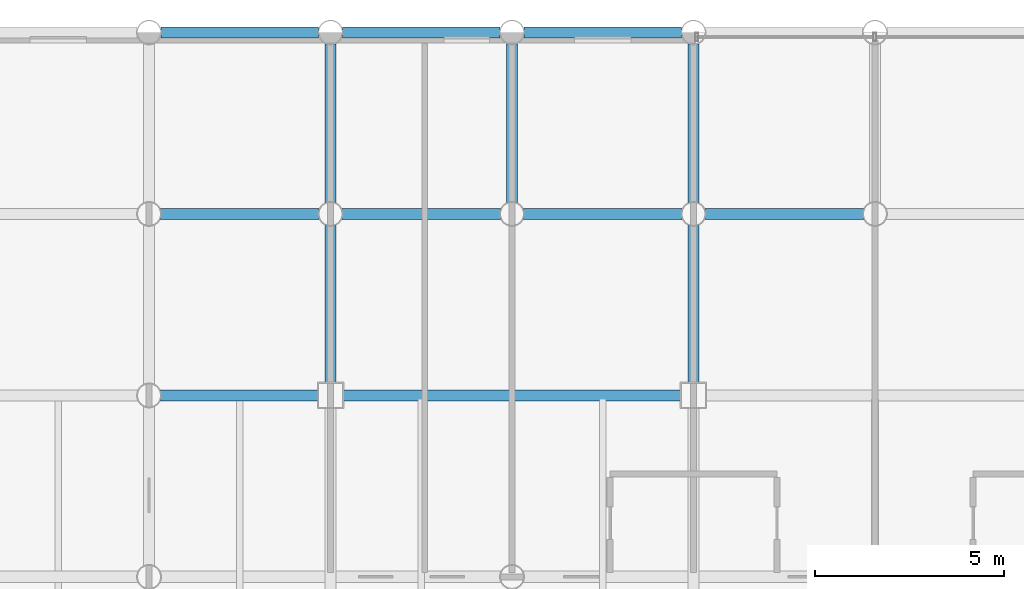
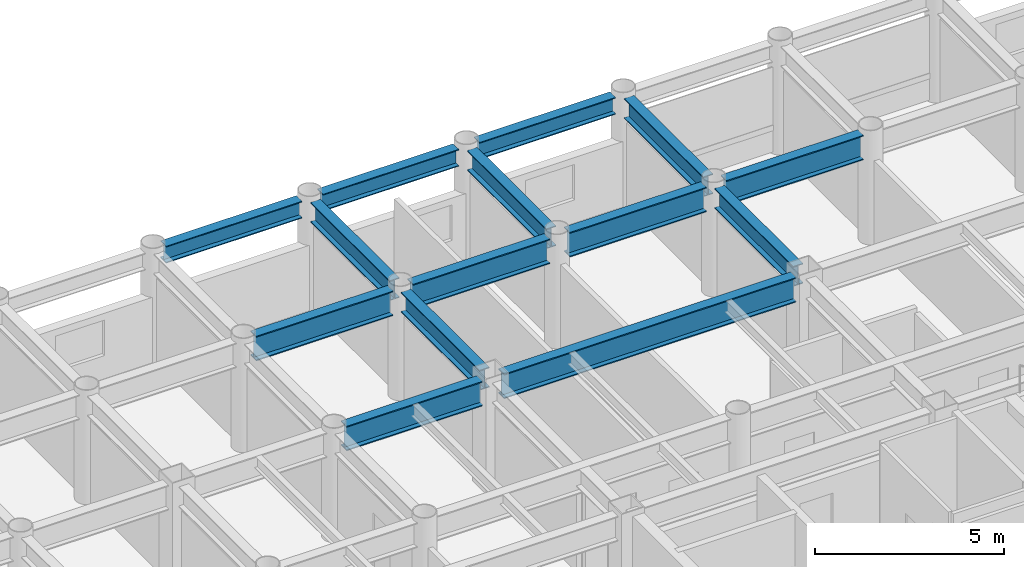
# One storey, part 11 of 20: 14 beams.
"""IFC4 building model written with IfcOpenShell, lengths in metres."""

from ifc_helpers import new_model, si_unit, direction, frame, origin, origin_2d, place, context, subcontext, project, spatial, i_section, extrude, material, material_profile, profile_set, type_object, element, save


model = new_model("IFC4")

# Units and contexts
model_context = context("Model", 3, precision=1e-05, world=origin(), true_north=direction((0.0, 1.0)))
body_context = subcontext(model_context, "Body", "Model", "MODEL_VIEW")
ifc_project = project(units=[si_unit("LENGTHUNIT", "METRE"), si_unit("AREAUNIT", "SQUARE_METRE"), si_unit("VOLUMEUNIT", "CUBIC_METRE"), si_unit("PLANEANGLEUNIT", "RADIAN"), si_unit("MASSUNIT", "GRAM", prefix="KILO")], contexts=[model_context])

# Site, building, storey
site_placement = place(None, origin())
site = spatial("IfcSite", under=ifc_project, at=site_placement, CompositionType="ELEMENT")
building_placement = place(site_placement, origin())
building = spatial("IfcBuilding", under=site, at=building_placement, Name="Kallvorn Hotel Tower", CompositionType="ELEMENT")
storey_placement = place(building_placement, frame((0.0, 0.0, 132.199951171875)))
storey = spatial("IfcBuildingStorey", under=building, at=storey_placement, Name="L32", CompositionType="ELEMENT", Elevation=132.199951171875)

# Beams
ifc_material_1 = material(Name="Structural steel S355JR", Category="steel")
ifc_material_profile_1 = material_profile(ifc_material_1, i_section(OverallWidth=0.300048828125, OverallDepth=0.550048828125, WebThickness=0.014892578125, FlangeThickness=0.029052734375, at=origin_2d()), Name="HE 550 B")
ifc_profile_set_1 = profile_set([ifc_material_profile_1], Name="Structural steel S355JR")
beam_type_1 = type_object("IfcBeamType", Name="BM_HE550B", PredefinedType="SPANDREL", material=ifc_profile_set_1)
beam_1_placement = place(storey_placement, frame((-18.8798828125, 24.0, 3.2451171875), z_axis=(1.0, 0.0, 0.0), x_axis=(0.0, 1.0, 0.0)))
element("IfcBeam", 1, at=beam_1_placement, inside=storey, type_object=beam_type_1, Name="L33 Perimeter Spandrel 165", PredefinedType="SPANDREL", context=body_context, shape_type="SweptSolid", body=[
    extrude(i_section(OverallWidth=0.300048828125, OverallDepth=0.550048828125, WebThickness=0.014892578125, FlangeThickness=0.029052734375, at=origin_2d()), origin(), (0.0, 0.0, 1.0), 4.159912109375),
])
beam_2_placement = place(storey_placement, frame((-14.080078125, 24.0, 3.2451171875), z_axis=(1.0, 0.0, 0.0), x_axis=(0.0, 1.0, 0.0)))
element("IfcBeam", 2, at=beam_2_placement, inside=storey, type_object=beam_type_1, Name="L33 Perimeter Spandrel 166", PredefinedType="SPANDREL", context=body_context, shape_type="SweptSolid", body=[
    extrude(i_section(OverallWidth=0.300048828125, OverallDepth=0.550048828125, WebThickness=0.014892578125, FlangeThickness=0.029052734375, at=origin_2d()), origin(), (0.0, 0.0, 1.0), 4.16015625),
])
beam_3_placement = place(storey_placement, frame((-9.280029296875, 24.0, 3.2451171875), z_axis=(1.0, 0.0, 0.0), x_axis=(0.0, 1.0, 0.0)))
element("IfcBeam", 3, at=beam_3_placement, inside=storey, type_object=beam_type_1, Name="L33 Perimeter Spandrel 167", PredefinedType="SPANDREL", context=body_context, shape_type="SweptSolid", body=[
    extrude(i_section(OverallWidth=0.300048828125, OverallDepth=0.550048828125, WebThickness=0.014892578125, FlangeThickness=0.029052734375, at=origin_2d()), origin(), (0.0, 0.0, 1.0), 4.159912109375),
])
ifc_material_2 = material(Name="Structural steel S355JR", Category="steel")
ifc_material_profile_2 = material_profile(ifc_material_2, i_section(OverallWidth=0.300048828125, OverallDepth=0.64990234375, WebThickness=0.01611328125, FlangeThickness=0.031005859375, at=origin_2d()), Name="HE 650 B")
ifc_profile_set_2 = profile_set([ifc_material_profile_2], Name="Structural steel S355JR")
beam_type_2 = type_object("IfcBeamType", Name="BM_HE650B", PredefinedType="BEAM", material=ifc_profile_set_2)
beam_4_placement = place(storey_placement, frame((-14.39990234375, 14.72509765625, 3.195068359375), z_axis=(0.0, 1.0, 0.0), x_axis=(-1.0, 0.0, 0.0)))
element("IfcBeam", 4, at=beam_4_placement, inside=storey, type_object=beam_type_2, Name="L33 Primary Y-Girder 101", PredefinedType="BEAM", context=body_context, shape_type="SweptSolid", body=[
    extrude(i_section(OverallWidth=0.300048828125, OverallDepth=0.64990234375, WebThickness=0.01611328125, FlangeThickness=0.031005859375, at=origin_2d()), origin(), (0.0, 0.0, 1.0), 4.169921875),
])
for number, where, z_axis, x_axis, name in (
    (5, (-14.39990234375, 19.5048828125, 3.195068359375), (0.0, 1.0, 0.0), (-1.0, 0.0, 0.0), "L33 Primary Y-Girder 102"),
    (6, (-9.60009765625, 19.5048828125, 3.195068359375), (0.0, 1.0, 0.0), (-1.0, 0.0, 0.0), "L33 Primary Y-Girder 105"),
):
    element("IfcBeam", number, at=place(storey_placement, frame(where, z_axis=z_axis, x_axis=x_axis)), inside=storey, type_object=beam_type_2, Name=name, PredefinedType="BEAM", context=body_context, shape_type="SweptSolid", body=[
        extrude(i_section(OverallWidth=0.300048828125, OverallDepth=0.64990234375, WebThickness=0.01611328125, FlangeThickness=0.031005859375, at=origin_2d()), origin(), (0.0, 0.0, 1.0), 4.190185546875),
    ])
beam_5_placement = place(storey_placement, frame((-4.800048828125, 14.72509765625, 3.195068359375), z_axis=(0.0, 1.0, 0.0), x_axis=(-1.0, 0.0, 0.0)))
element("IfcBeam", 7, at=beam_5_placement, inside=storey, type_object=beam_type_2, Name="L33 Primary Y-Girder 109", PredefinedType="BEAM", context=body_context, shape_type="SweptSolid", body=[
    extrude(i_section(OverallWidth=0.300048828125, OverallDepth=0.64990234375, WebThickness=0.01611328125, FlangeThickness=0.031005859375, at=origin_2d()), origin(), (0.0, 0.0, 1.0), 4.169921875),
])
beam_6_placement = place(storey_placement, frame((-4.800048828125, 19.5048828125, 3.195068359375), z_axis=(0.0, 1.0, 0.0), x_axis=(-1.0, 0.0, 0.0)))
element("IfcBeam", 8, at=beam_6_placement, inside=storey, type_object=beam_type_2, Name="L33 Primary Y-Girder 110", PredefinedType="BEAM", context=body_context, shape_type="SweptSolid", body=[
    extrude(i_section(OverallWidth=0.300048828125, OverallDepth=0.64990234375, WebThickness=0.01611328125, FlangeThickness=0.031005859375, at=origin_2d()), origin(), (0.0, 0.0, 1.0), 4.190185546875),
])
ifc_material_3 = material(Name="Structural steel S355JR", Category="steel")
ifc_material_profile_3 = material_profile(ifc_material_3, i_section(OverallWidth=0.300048828125, OverallDepth=0.800048828125, WebThickness=0.017578125, FlangeThickness=0.032958984375, at=origin_2d()), Name="HE 800 B")
ifc_profile_set_3 = profile_set([ifc_material_profile_3], Name="Structural steel S355JR")
beam_type_3 = type_object("IfcBeamType", Name="BM_HE800B", PredefinedType="BEAM", material=ifc_profile_set_3)
beam_7_placement = place(storey_placement, frame((-18.89501953125, 14.39990234375, 3.1201171875), z_axis=(1.0, 0.0, 0.0), x_axis=(0.0, 1.0, 0.0)))
element("IfcBeam", 9, at=beam_7_placement, inside=storey, type_object=beam_type_3, Name="L33 Primary X-Girder 53", PredefinedType="BEAM", context=body_context, shape_type="SweptSolid", body=[
    extrude(i_section(OverallWidth=0.300048828125, OverallDepth=0.800048828125, WebThickness=0.017578125, FlangeThickness=0.032958984375, at=origin_2d()), origin(), (0.0, 0.0, 1.0), 4.169921875),
])
beam_8_placement = place(storey_placement, frame((-14.074951171875, 14.39990234375, 3.1201171875), z_axis=(1.0, 0.0, 0.0), x_axis=(0.0, 1.0, 0.0)))
element("IfcBeam", 10, at=beam_8_placement, inside=storey, type_object=beam_type_3, Name="L33 Primary X-Girder 54", PredefinedType="BEAM", context=body_context, shape_type="SweptSolid", body=[
    extrude(i_section(OverallWidth=0.300048828125, OverallDepth=0.800048828125, WebThickness=0.017578125, FlangeThickness=0.032958984375, at=origin_2d()), origin(), (0.0, 0.0, 1.0), 8.949951171875),
])
for number, where, z_axis, x_axis, name in (
    (11, (-18.89501953125, 19.199951171875, 3.1201171875), (1.0, 0.0, 0.0), (0.0, 1.0, 0.0), "L33 Primary X-Girder 63"),
    (12, (-14.094970703125, 19.199951171875, 3.1201171875), (1.0, 0.0, 0.0), (0.0, 1.0, 0.0), "L33 Primary X-Girder 64"),
    (13, (-9.294921875, 19.199951171875, 3.1201171875), (1.0, 0.0, 0.0), (0.0, 1.0, 0.0), "L33 Primary X-Girder 65"),
):
    element("IfcBeam", number, at=place(storey_placement, frame(where, z_axis=z_axis, x_axis=x_axis)), inside=storey, type_object=beam_type_3, Name=name, PredefinedType="BEAM", context=body_context, shape_type="SweptSolid", body=[
        extrude(i_section(OverallWidth=0.300048828125, OverallDepth=0.800048828125, WebThickness=0.017578125, FlangeThickness=0.032958984375, at=origin_2d()), origin(), (0.0, 0.0, 1.0), 4.18994140625),
    ])
beam_9_placement = place(storey_placement, frame((-4.4951171875, 19.199951171875, 3.1201171875), z_axis=(1.0, 0.0, 0.0), x_axis=(0.0, 1.0, 0.0)))
element("IfcBeam", 14, at=beam_9_placement, inside=storey, type_object=beam_type_3, Name="L33 Primary X-Girder 66", PredefinedType="BEAM", context=body_context, shape_type="SweptSolid", body=[
    extrude(i_section(OverallWidth=0.300048828125, OverallDepth=0.800048828125, WebThickness=0.017578125, FlangeThickness=0.032958984375, at=origin_2d()), origin(), (0.0, 0.0, 1.0), 4.190185546875),
])

save(model, "model.ifc")
